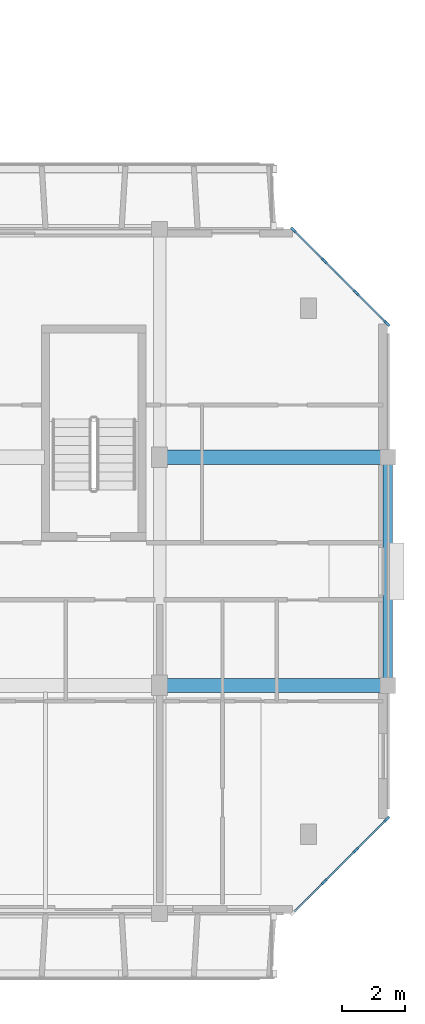
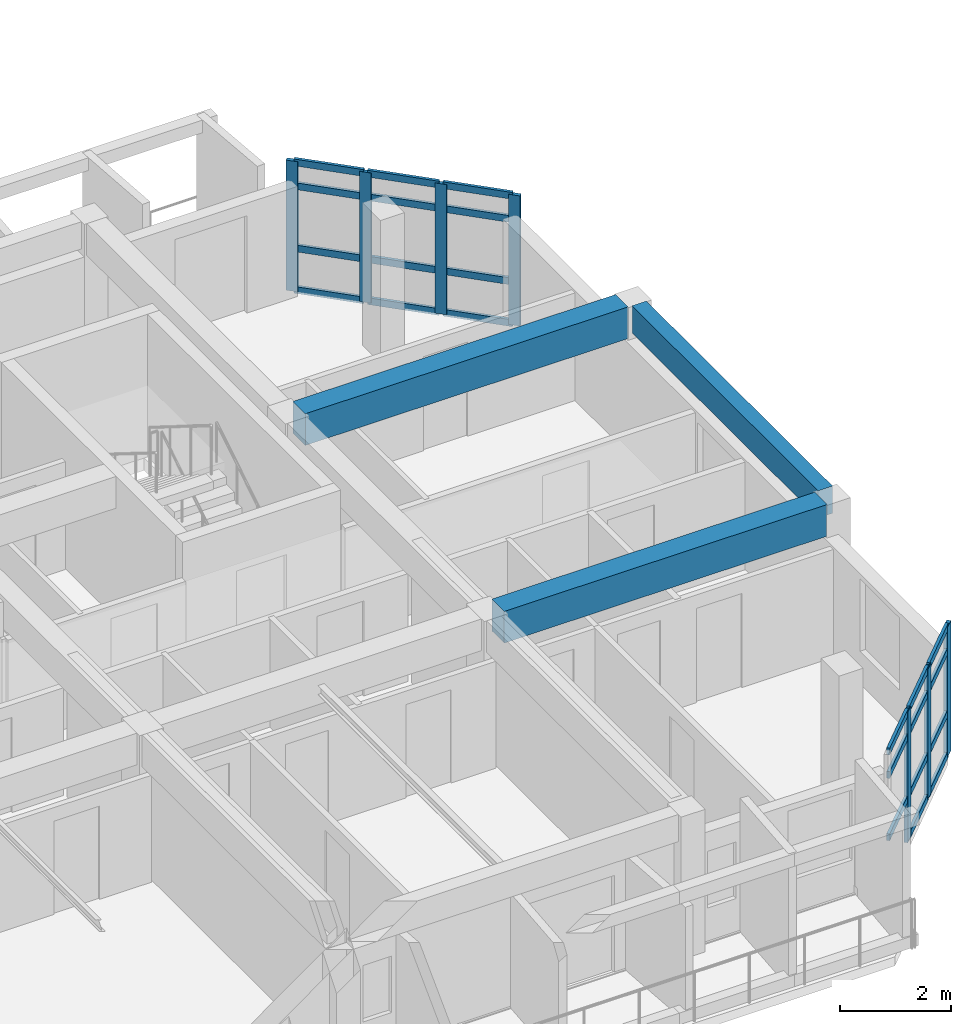
# One storey, part 8 of 46: 30 members, 3 beams, 2 elements without a shape of their own.
"""IFC4 building model written with IfcOpenShell, lengths in metres."""

from ifc_helpers import new_model, si_unit, direction, frame, origin, origin_2d, place, context, subcontext, project, spatial, rectangle, extrude, material, layer, layer_set, material_profile, profile_set, type_object, element, aggregate, save


model = new_model("IFC4")

# Units and contexts
model_context = context("Model", 3, precision=1e-05, world=origin(), true_north=direction((0.0, 1.0)))
body_context = subcontext(model_context, "Body", "Model", "MODEL_VIEW")
ifc_project = project(units=[si_unit("LENGTHUNIT", "METRE"), si_unit("AREAUNIT", "SQUARE_METRE"), si_unit("VOLUMEUNIT", "CUBIC_METRE"), si_unit("PLANEANGLEUNIT", "RADIAN"), si_unit("MASSUNIT", "GRAM", prefix="KILO")], contexts=[model_context])

# Site, building, storey
site_placement = place(None, origin())
site = spatial("IfcSite", under=ifc_project, at=site_placement, CompositionType="ELEMENT")
building_placement = place(site_placement, origin())
building = spatial("IfcBuilding", under=site, at=building_placement, Name="Ochrevale Crest", CompositionType="ELEMENT")
storey_placement = place(building_placement, frame((0.0, 0.0, 24.449951171875)))
storey = spatial("IfcBuildingStorey", under=building, at=storey_placement, Name="L07", CompositionType="ELEMENT", Elevation=24.449951171875)

# Beams
ifc_material_1 = material(Name="Concrete C50/60", Category="concrete")
ifc_material_profile_1 = material_profile(ifc_material_1, rectangle(XDim=0.449951171875, YDim=0.699951171875, at=origin_2d()), Name="RC 450x700")
ifc_profile_set_1 = profile_set([ifc_material_profile_1], Name="Concrete C50/60")
beam_type_1 = type_object("IfcBeamType", Name="BM-PG450x700", PredefinedType="USERDEFINED", material=ifc_profile_set_1)
for number, where, z_axis, x_axis, name in (
    (1, (158.625, 21.60009765625, 2.800048828125), (1.0, 0.0, 0.0), (0.0, 1.0, 0.0), "Block C L07 E-W beam Y=21.6"),
    (2, (158.625, 28.800048828125, 2.800048828125), (1.0, 0.0, 0.0), (0.0, 1.0, 0.0), "Block C L07 E-W beam Y=28.8"),
):
    element("IfcBeam", number, at=place(storey_placement, frame(where, z_axis=z_axis, x_axis=x_axis)), inside=storey, type_object=beam_type_1, Name=name, ObjectType="GIRDER", PredefinedType="USERDEFINED", context=body_context, shape_type="SweptSolid", body=[
        extrude(rectangle(XDim=0.449951171875, YDim=0.699951171875, at=origin_2d()), origin(), (0.0, 0.0, 1.0), 6.75),
    ])
ifc_material_2 = material(Name="Precast concrete C40/50", Category="concrete")
ifc_material_profile_2 = material_profile(ifc_material_2, rectangle(XDim=0.300048828125, YDim=0.60009765625, at=origin_2d()), Name="PC 300x600")
ifc_profile_set_2 = profile_set([ifc_material_profile_2], Name="Precast concrete C40/50")
beam_type_2 = type_object("IfcBeamType", Name="BM-SP300x600", PredefinedType="SPANDREL", material=ifc_profile_set_2)
beam_placement = place(storey_placement, frame((165.60009765625, 21.830078125, 2.85009765625), z_axis=(0.0, 1.0, 0.0), x_axis=(-1.0, 0.0, 0.0)))
element("IfcBeam", 3, at=beam_placement, inside=storey, type_object=beam_type_2, Name="Block C L07 N-S beam X=165.6", PredefinedType="SPANDREL", context=body_context, shape_type="SweptSolid", body=[
    extrude(rectangle(XDim=0.300048828125, YDim=0.60009765625, at=origin_2d()), origin(), (0.0, 0.0, 1.0), 6.739990234375),
])

# Curtain wall, members
ifc_material_3 = material(Name="Anodised aluminium 6063-T5", Category="aluminium")
ifc_layer_1 = layer(ifc_material_3, 0.14990234375)
ifc_layer_set_1 = layer_set([ifc_layer_1], Name="Anodised aluminium 6063-T5")
curtain_wall_type_1 = type_object("IfcCurtainWallType", Name="CW-WG-420x285", PredefinedType="NOTDEFINED", material=ifc_layer_set_1)
curtain_wall_1_placement = place(storey_placement, origin())
curtain_wall_1 = element("IfcCurtainWall", 4, at=curtain_wall_1_placement, inside=storey, type_object=curtain_wall_type_1, Name="Block C L07 chamfered corner wintergarden curtain wall 2", PredefinedType="NOTDEFINED")
ifc_material_profile_3 = material_profile(ifc_material_3, rectangle(XDim=0.074951171875, YDim=0.219970703125, at=origin_2d()), Name="ALU 75x220")
ifc_profile_set_3 = profile_set([ifc_material_profile_3], Name="Anodised aluminium 6063-T5")
member_type_1 = type_object("IfcMemberType", Name="CW-MUL-75x220", PredefinedType="MULLION", material=ifc_profile_set_3)
member_1_placement = place(storey_placement, frame((163.60009765625, 15.39990234375, 0.0), z_axis=(0.0, 0.0, 1.0), x_axis=(-0.707106781187, 0.707106781187, 0.0)))
member_1 = element("IfcMember", 5, at=member_1_placement, type_object=member_type_1, Name="CW22 mullion 2", PredefinedType="MULLION", context=body_context, shape_type="SweptSolid", body=[
    extrude(rectangle(XDim=0.074951171875, YDim=0.219970703125, at=origin_2d()), origin(), (0.0, 0.0, 1.0), 2.875),
])
member_2_placement = place(storey_placement, frame((164.60009765625, 16.39990234375, 0.0), z_axis=(0.0, 0.0, 1.0), x_axis=(-0.707106781187, 0.707106781187, 0.0)))
member_2 = element("IfcMember", 6, at=member_2_placement, type_object=member_type_1, Name="CW22 mullion 3", PredefinedType="MULLION", context=body_context, shape_type="SweptSolid", body=[
    extrude(rectangle(XDim=0.074951171875, YDim=0.219970703125, at=origin_2d()), origin(), (0.0, 0.0, 1.0), 2.875),
])
member_3_placement = place(storey_placement, frame((165.573486328125, 17.37353515625, 0.0), z_axis=(0.0, 0.0, 1.0), x_axis=(-0.707106781187, 0.707106781187, 0.0)))
member_3 = element("IfcMember", 7, at=member_3_placement, type_object=member_type_1, Name="CW22 mullion 4", PredefinedType="MULLION", context=body_context, shape_type="SweptSolid", body=[
    extrude(rectangle(XDim=0.074951171875, YDim=0.219970703125, at=origin_2d()), origin(), (0.0, 0.0, 1.0), 2.875),
])

ifc_layer_2 = layer(ifc_material_3, 0.14990234375)
ifc_layer_set_2 = layer_set([ifc_layer_2], Name="Anodised aluminium 6063-T5")
curtain_wall_type_2 = type_object("IfcCurtainWallType", Name="CW-WG-280x285", PredefinedType="NOTDEFINED", material=ifc_layer_set_2)
curtain_wall_2_placement = place(storey_placement, origin())
curtain_wall_2 = element("IfcCurtainWall", 8, at=curtain_wall_2_placement, inside=storey, type_object=curtain_wall_type_2, Name="Block C L07 chamfered corner wintergarden curtain wall 4", PredefinedType="NOTDEFINED")
member_4_placement = place(storey_placement, frame((165.573486328125, 33.026611328125, 0.0), z_axis=(0.0, 0.0, 1.0), x_axis=(-0.707106781187, -0.707106781187, 0.0)))
member_4 = element("IfcMember", 9, at=member_4_placement, type_object=member_type_1, Name="CW16 mullion 1", PredefinedType="MULLION", context=body_context, shape_type="SweptSolid", body=[
    extrude(rectangle(XDim=0.074951171875, YDim=0.219970703125, at=origin_2d()), origin(), (0.0, 0.0, 1.0), 2.875),
])
member_5_placement = place(storey_placement, frame((164.60009765625, 34.0, 0.0), z_axis=(0.0, 0.0, 1.0), x_axis=(-0.707106781187, -0.707106781187, 0.0)))
member_5 = element("IfcMember", 10, at=member_5_placement, type_object=member_type_1, Name="CW16 mullion 2", PredefinedType="MULLION", context=body_context, shape_type="SweptSolid", body=[
    extrude(rectangle(XDim=0.074951171875, YDim=0.219970703125, at=origin_2d()), origin(), (0.0, 0.0, 1.0), 2.875),
])
member_6_placement = place(storey_placement, frame((163.60009765625, 35.0, 0.0), z_axis=(0.0, 0.0, 1.0), x_axis=(-0.707106781187, -0.707106781187, 0.0)))
member_6 = element("IfcMember", 11, at=member_6_placement, type_object=member_type_1, Name="CW16 mullion 3", PredefinedType="MULLION", context=body_context, shape_type="SweptSolid", body=[
    extrude(rectangle(XDim=0.074951171875, YDim=0.219970703125, at=origin_2d()), origin(), (0.0, 0.0, 1.0), 2.875),
])
member_7_placement = place(storey_placement, frame((162.62646484375, 35.973388671875, 0.0), z_axis=(0.0, 0.0, 1.0), x_axis=(-0.707106781187, -0.707106781187, 0.0)))
member_7 = element("IfcMember", 12, at=member_7_placement, type_object=member_type_1, Name="CW16 mullion 4", PredefinedType="MULLION", context=body_context, shape_type="SweptSolid", body=[
    extrude(rectangle(XDim=0.074951171875, YDim=0.219970703125, at=origin_2d()), origin(), (0.0, 0.0, 1.0), 2.875),
])

# Member
ifc_material_profile_4 = material_profile(ifc_material_3, rectangle(XDim=0.06005859375, YDim=0.14990234375, at=origin_2d()), Name="ALU 60x150")
ifc_profile_set_4 = profile_set([ifc_material_profile_4], Name="Anodised aluminium 6063-T5")
member_type_2 = type_object("IfcMemberType", Name="CW-TRN-60x150", PredefinedType="USERDEFINED", material=ifc_profile_set_4)
member_8_placement = place(storey_placement, frame((162.653076171875, 14.453125, 0.949951171875), z_axis=(0.707106781187, 0.707106781187, 0.0), x_axis=(-0.707106781187, 0.707106781187, 0.0)))
member_8 = element("IfcMember", 13, at=member_8_placement, type_object=member_type_2, Name="CW22 transom 1.2", ObjectType="TRANSOM", PredefinedType="USERDEFINED", context=body_context, shape_type="SweptSolid", body=[
    extrude(rectangle(XDim=0.06005859375, YDim=0.14990234375, at=origin_2d()), origin(), (0.0, 0.0, 1.0), 1.3017578125),
])

member_9_placement = place(storey_placement, frame((162.653076171875, 14.453125, 2.324951171875), z_axis=(0.707106781187, 0.707106781187, 0.0), x_axis=(-0.707106781187, 0.707106781187, 0.0)))
member_9 = element("IfcMember", 14, at=member_9_placement, type_object=member_type_2, Name="CW22 transom 1.3", ObjectType="TRANSOM", PredefinedType="USERDEFINED", context=body_context, shape_type="SweptSolid", body=[
    extrude(rectangle(XDim=0.06005859375, YDim=0.14990234375, at=origin_2d()), origin(), (0.0, 0.0, 1.0), 1.3017578125),
])

member_10_placement = place(storey_placement, frame((162.653076171875, 14.453125, 2.844970703125), z_axis=(0.707106781187, 0.707106781187, 0.0), x_axis=(-0.707106781187, 0.707106781187, 0.0)))
member_10 = element("IfcMember", 15, at=member_10_placement, type_object=member_type_2, Name="CW22 transom 1.4", ObjectType="TRANSOM", PredefinedType="USERDEFINED", context=body_context, shape_type="SweptSolid", body=[
    extrude(rectangle(XDim=0.06005859375, YDim=0.14990234375, at=origin_2d()), origin(), (0.0, 0.0, 1.0), 1.3017578125),
])

member_11_placement = place(storey_placement, frame((163.62646484375, 15.426513671875, 0.030029296875), z_axis=(0.707106781187, 0.707106781187, 0.0), x_axis=(-0.707106781187, 0.707106781187, 0.0)))
member_11 = element("IfcMember", 16, at=member_11_placement, type_object=member_type_2, Name="CW22 transom 2.1", ObjectType="TRANSOM", PredefinedType="USERDEFINED", context=body_context, shape_type="SweptSolid", body=[
    extrude(rectangle(XDim=0.06005859375, YDim=0.14990234375, at=origin_2d()), origin(), (0.0, 0.0, 1.0), 1.33935546875),
])

member_12_placement = place(storey_placement, frame((163.62646484375, 15.426513671875, 0.949951171875), z_axis=(0.707106781187, 0.707106781187, 0.0), x_axis=(-0.707106781187, 0.707106781187, 0.0)))
member_12 = element("IfcMember", 17, at=member_12_placement, type_object=member_type_2, Name="CW22 transom 2.2", ObjectType="TRANSOM", PredefinedType="USERDEFINED", context=body_context, shape_type="SweptSolid", body=[
    extrude(rectangle(XDim=0.06005859375, YDim=0.14990234375, at=origin_2d()), origin(), (0.0, 0.0, 1.0), 1.33935546875),
])

member_13_placement = place(storey_placement, frame((163.62646484375, 15.426513671875, 2.324951171875), z_axis=(0.707106781187, 0.707106781187, 0.0), x_axis=(-0.707106781187, 0.707106781187, 0.0)))
member_13 = element("IfcMember", 18, at=member_13_placement, type_object=member_type_2, Name="CW22 transom 2.3", ObjectType="TRANSOM", PredefinedType="USERDEFINED", context=body_context, shape_type="SweptSolid", body=[
    extrude(rectangle(XDim=0.06005859375, YDim=0.14990234375, at=origin_2d()), origin(), (0.0, 0.0, 1.0), 1.33935546875),
])

member_14_placement = place(storey_placement, frame((163.62646484375, 15.426513671875, 2.844970703125), z_axis=(0.707106781187, 0.707106781187, 0.0), x_axis=(-0.707106781187, 0.707106781187, 0.0)))
member_14 = element("IfcMember", 19, at=member_14_placement, type_object=member_type_2, Name="CW22 transom 2.4", ObjectType="TRANSOM", PredefinedType="USERDEFINED", context=body_context, shape_type="SweptSolid", body=[
    extrude(rectangle(XDim=0.06005859375, YDim=0.14990234375, at=origin_2d()), origin(), (0.0, 0.0, 1.0), 1.33935546875),
])

member_15_placement = place(storey_placement, frame((164.62646484375, 16.426513671875, 0.030029296875), z_axis=(0.707106781187, 0.707106781187, 0.0), x_axis=(-0.707106781187, 0.707106781187, 0.0)))
member_15 = element("IfcMember", 20, at=member_15_placement, type_object=member_type_2, Name="CW22 transom 3.1", ObjectType="TRANSOM", PredefinedType="USERDEFINED", context=body_context, shape_type="SweptSolid", body=[
    extrude(rectangle(XDim=0.06005859375, YDim=0.14990234375, at=origin_2d()), origin(), (0.0, 0.0, 1.0), 1.3017578125),
])

member_16_placement = place(storey_placement, frame((164.62646484375, 16.426513671875, 0.949951171875), z_axis=(0.707106781187, 0.707106781187, 0.0), x_axis=(-0.707106781187, 0.707106781187, 0.0)))
member_16 = element("IfcMember", 21, at=member_16_placement, type_object=member_type_2, Name="CW22 transom 3.2", ObjectType="TRANSOM", PredefinedType="USERDEFINED", context=body_context, shape_type="SweptSolid", body=[
    extrude(rectangle(XDim=0.06005859375, YDim=0.14990234375, at=origin_2d()), origin(), (0.0, 0.0, 1.0), 1.3017578125),
])

member_17_placement = place(storey_placement, frame((164.62646484375, 16.426513671875, 2.324951171875), z_axis=(0.707106781187, 0.707106781187, 0.0), x_axis=(-0.707106781187, 0.707106781187, 0.0)))
member_17 = element("IfcMember", 22, at=member_17_placement, type_object=member_type_2, Name="CW22 transom 3.3", ObjectType="TRANSOM", PredefinedType="USERDEFINED", context=body_context, shape_type="SweptSolid", body=[
    extrude(rectangle(XDim=0.06005859375, YDim=0.14990234375, at=origin_2d()), origin(), (0.0, 0.0, 1.0), 1.3017578125),
])

member_18_placement = place(storey_placement, frame((164.62646484375, 16.426513671875, 2.844970703125), z_axis=(0.707106781187, 0.707106781187, 0.0), x_axis=(-0.707106781187, 0.707106781187, 0.0)))
member_18 = element("IfcMember", 23, at=member_18_placement, type_object=member_type_2, Name="CW22 transom 3.4", ObjectType="TRANSOM", PredefinedType="USERDEFINED", context=body_context, shape_type="SweptSolid", body=[
    extrude(rectangle(XDim=0.06005859375, YDim=0.14990234375, at=origin_2d()), origin(), (0.0, 0.0, 1.0), 1.3017578125),
])

aggregate(curtain_wall_1, [member_1, member_2, member_3, member_8, member_9, member_10, member_11, member_12, member_13, member_14, member_15, member_16, member_17, member_18])

member_19_placement = place(storey_placement, frame((165.546875, 33.052978515625, 0.030029296875), z_axis=(-0.707106781187, 0.707106781187, 0.0), x_axis=(-0.707106781187, -0.707106781187, 0.0)))
member_19 = element("IfcMember", 24, at=member_19_placement, type_object=member_type_2, Name="CW16 transom 1.1", ObjectType="TRANSOM", PredefinedType="USERDEFINED", context=body_context, shape_type="SweptSolid", body=[
    extrude(rectangle(XDim=0.06005859375, YDim=0.14990234375, at=origin_2d()), origin(), (0.0, 0.0, 1.0), 1.3017578125),
])

member_20_placement = place(storey_placement, frame((165.546875, 33.052978515625, 0.949951171875), z_axis=(-0.707106781187, 0.707106781187, 0.0), x_axis=(-0.707106781187, -0.707106781187, 0.0)))
member_20 = element("IfcMember", 25, at=member_20_placement, type_object=member_type_2, Name="CW16 transom 1.2", ObjectType="TRANSOM", PredefinedType="USERDEFINED", context=body_context, shape_type="SweptSolid", body=[
    extrude(rectangle(XDim=0.06005859375, YDim=0.14990234375, at=origin_2d()), origin(), (0.0, 0.0, 1.0), 1.3017578125),
])

member_21_placement = place(storey_placement, frame((165.546875, 33.052978515625, 2.324951171875), z_axis=(-0.707106781187, 0.707106781187, 0.0), x_axis=(-0.707106781187, -0.707106781187, 0.0)))
member_21 = element("IfcMember", 26, at=member_21_placement, type_object=member_type_2, Name="CW16 transom 1.3", ObjectType="TRANSOM", PredefinedType="USERDEFINED", context=body_context, shape_type="SweptSolid", body=[
    extrude(rectangle(XDim=0.06005859375, YDim=0.14990234375, at=origin_2d()), origin(), (0.0, 0.0, 1.0), 1.3017578125),
])

member_22_placement = place(storey_placement, frame((165.546875, 33.052978515625, 2.844970703125), z_axis=(-0.707106781187, 0.707106781187, 0.0), x_axis=(-0.707106781187, -0.707106781187, 0.0)))
member_22 = element("IfcMember", 27, at=member_22_placement, type_object=member_type_2, Name="CW16 transom 1.4", ObjectType="TRANSOM", PredefinedType="USERDEFINED", context=body_context, shape_type="SweptSolid", body=[
    extrude(rectangle(XDim=0.06005859375, YDim=0.14990234375, at=origin_2d()), origin(), (0.0, 0.0, 1.0), 1.3017578125),
])

member_23_placement = place(storey_placement, frame((164.573486328125, 34.026611328125, 0.030029296875), z_axis=(-0.707197932559, 0.707015618062, 0.0), x_axis=(-0.707015618062, -0.707197932559, 0.0)))
member_23 = element("IfcMember", 28, at=member_23_placement, type_object=member_type_2, Name="CW16 transom 2.1", ObjectType="TRANSOM", PredefinedType="USERDEFINED", context=body_context, shape_type="SweptSolid", body=[
    extrude(rectangle(XDim=0.06005859375, YDim=0.14990234375, at=origin_2d()), origin(), (0.0, 0.0, 1.0), 1.339111328125),
])

member_24_placement = place(storey_placement, frame((164.573486328125, 34.026611328125, 0.949951171875), z_axis=(-0.707197932559, 0.707015618062, 0.0), x_axis=(-0.707015618062, -0.707197932559, 0.0)))
member_24 = element("IfcMember", 29, at=member_24_placement, type_object=member_type_2, Name="CW16 transom 2.2", ObjectType="TRANSOM", PredefinedType="USERDEFINED", context=body_context, shape_type="SweptSolid", body=[
    extrude(rectangle(XDim=0.06005859375, YDim=0.14990234375, at=origin_2d()), origin(), (0.0, 0.0, 1.0), 1.339111328125),
])

member_25_placement = place(storey_placement, frame((164.573486328125, 34.026611328125, 2.324951171875), z_axis=(-0.707197932559, 0.707015618062, 0.0), x_axis=(-0.707015618062, -0.707197932559, 0.0)))
member_25 = element("IfcMember", 30, at=member_25_placement, type_object=member_type_2, Name="CW16 transom 2.3", ObjectType="TRANSOM", PredefinedType="USERDEFINED", context=body_context, shape_type="SweptSolid", body=[
    extrude(rectangle(XDim=0.06005859375, YDim=0.14990234375, at=origin_2d()), origin(), (0.0, 0.0, 1.0), 1.339111328125),
])

member_26_placement = place(storey_placement, frame((164.573486328125, 34.026611328125, 2.844970703125), z_axis=(-0.707197932559, 0.707015618062, 0.0), x_axis=(-0.707015618062, -0.707197932559, 0.0)))
member_26 = element("IfcMember", 31, at=member_26_placement, type_object=member_type_2, Name="CW16 transom 2.4", ObjectType="TRANSOM", PredefinedType="USERDEFINED", context=body_context, shape_type="SweptSolid", body=[
    extrude(rectangle(XDim=0.06005859375, YDim=0.14990234375, at=origin_2d()), origin(), (0.0, 0.0, 1.0), 1.339111328125),
])

member_27_placement = place(storey_placement, frame((163.573486328125, 35.026611328125, 0.030029296875), z_axis=(-0.707106781187, 0.707106781187, 0.0), x_axis=(-0.707106781187, -0.707106781187, 0.0)))
member_27 = element("IfcMember", 32, at=member_27_placement, type_object=member_type_2, Name="CW16 transom 3.1", ObjectType="TRANSOM", PredefinedType="USERDEFINED", context=body_context, shape_type="SweptSolid", body=[
    extrude(rectangle(XDim=0.06005859375, YDim=0.14990234375, at=origin_2d()), origin(), (0.0, 0.0, 1.0), 1.3017578125),
])

member_28_placement = place(storey_placement, frame((163.573486328125, 35.026611328125, 0.949951171875), z_axis=(-0.707106781187, 0.707106781187, 0.0), x_axis=(-0.707106781187, -0.707106781187, 0.0)))
member_28 = element("IfcMember", 33, at=member_28_placement, type_object=member_type_2, Name="CW16 transom 3.2", ObjectType="TRANSOM", PredefinedType="USERDEFINED", context=body_context, shape_type="SweptSolid", body=[
    extrude(rectangle(XDim=0.06005859375, YDim=0.14990234375, at=origin_2d()), origin(), (0.0, 0.0, 1.0), 1.3017578125),
])

member_29_placement = place(storey_placement, frame((163.573486328125, 35.026611328125, 2.324951171875), z_axis=(-0.707106781187, 0.707106781187, 0.0), x_axis=(-0.707106781187, -0.707106781187, 0.0)))
member_29 = element("IfcMember", 34, at=member_29_placement, type_object=member_type_2, Name="CW16 transom 3.3", ObjectType="TRANSOM", PredefinedType="USERDEFINED", context=body_context, shape_type="SweptSolid", body=[
    extrude(rectangle(XDim=0.06005859375, YDim=0.14990234375, at=origin_2d()), origin(), (0.0, 0.0, 1.0), 1.3017578125),
])

member_30_placement = place(storey_placement, frame((163.573486328125, 35.026611328125, 2.844970703125), z_axis=(-0.707106781187, 0.707106781187, 0.0), x_axis=(-0.707106781187, -0.707106781187, 0.0)))
member_30 = element("IfcMember", 35, at=member_30_placement, type_object=member_type_2, Name="CW16 transom 3.4", ObjectType="TRANSOM", PredefinedType="USERDEFINED", context=body_context, shape_type="SweptSolid", body=[
    extrude(rectangle(XDim=0.06005859375, YDim=0.14990234375, at=origin_2d()), origin(), (0.0, 0.0, 1.0), 1.3017578125),
])

aggregate(curtain_wall_2, [member_4, member_5, member_6, member_7, member_19, member_20, member_21, member_22, member_23, member_24, member_25, member_26, member_27, member_28, member_29, member_30])

save(model, "model.ifc")
